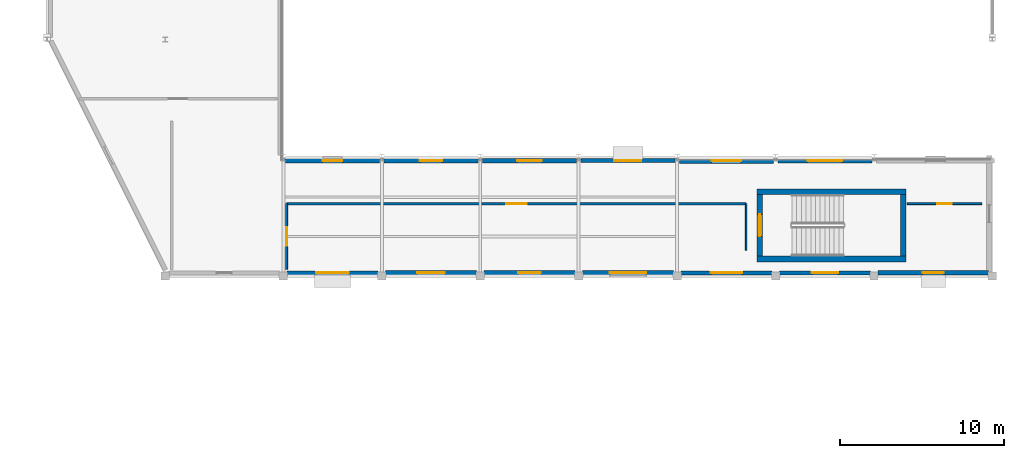
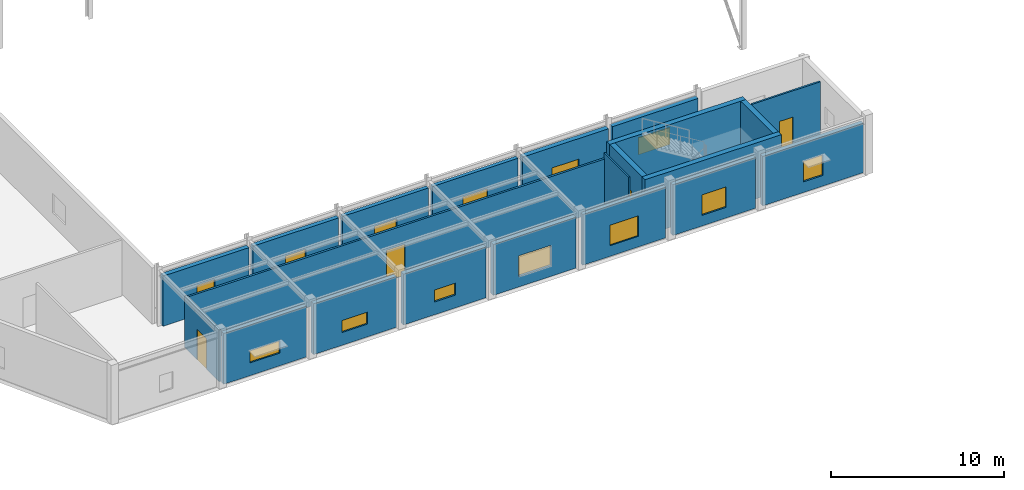
# One storey, part 42 of 60: 21 walls, 13 windows, 4 doors, 17 openings.
"""IFC4 building model written with IfcOpenShell, lengths in metres."""

from ifc_helpers import new_model, si_unit, direction, frame, frame_2d, origin, place, context, subcontext, project, spatial, rectangle, extrude, material, layer, layer_set, type_object, element, fill, save


model = new_model("IFC4")

# Units and contexts
model_context = context("Model", 3, precision=1e-05, world=origin(), true_north=direction((0.0, 1.0)))
body_context = subcontext(model_context, "Body", "Model", "MODEL_VIEW")
ifc_project = project(units=[si_unit("LENGTHUNIT", "METRE"), si_unit("AREAUNIT", "SQUARE_METRE"), si_unit("VOLUMEUNIT", "CUBIC_METRE"), si_unit("PLANEANGLEUNIT", "RADIAN"), si_unit("MASSUNIT", "GRAM", prefix="KILO")], contexts=[model_context])

# Site, building, storey
site_placement = place(None, origin())
site = spatial("IfcSite", under=ifc_project, at=site_placement, CompositionType="ELEMENT")
building_placement = place(site_placement, origin())
building = spatial("IfcBuilding", under=site, at=building_placement, Name="Brisavento Harbour Community Centre", CompositionType="ELEMENT")
storey_placement = place(building_placement, frame((0.0, 0.0, 4.5)))
storey = spatial("IfcBuildingStorey", under=building, at=storey_placement, Name="L01", CompositionType="ELEMENT", Elevation=4.5)

# Walls
ifc_material_1 = material(Name="Concrete C40/50", Category="concrete")
ifc_layer_1 = layer(ifc_material_1, 0.35009765625, Name="Concrete C40/50")
ifc_layer_set_1 = layer_set([ifc_layer_1], Name="Concrete C40/50")
wall_type_1 = type_object("IfcWallType", Name="WL-CORE-350", PredefinedType="SHEAR", material=ifc_layer_set_1)
for number, where, z_axis, x_axis, name in (
    (1, (158.449951171875, 80.22509765625, 0.0), (0.0, 0.0, 1.0), (1.0, 0.0, 0.0), "L01 core C4 shear wall L"),
    (2, (167.550048828125, 84.324951171875, 0.0), (0.0, 0.0, 1.0), (-1.0, 0.0, 0.0), "L01 core C4 shear wall R"),
):
    element("IfcWall", number, at=place(storey_placement, frame(where, z_axis=z_axis, x_axis=x_axis)), inside=storey, type_object=wall_type_1, Name=name, PredefinedType="SHEAR", context=body_context, shape_type="SweptSolid", body=[
        extrude(rectangle(XDim=9.10009765625, YDim=0.35009765625, at=frame_2d((4.550048828125, 0.0))), origin(), (0.0, 0.0, 1.0), 3.949951171875),
    ])
wall_1_placement = place(storey_placement, frame((167.375, 80.39990234375, 0.0), z_axis=(0.0, 0.0, 1.0), x_axis=(0.0, 1.0, 0.0)))
element("IfcWall", 3, at=wall_1_placement, inside=storey, type_object=wall_type_1, Name="L01 core C4 shear wall F", PredefinedType="SHEAR", context=body_context, shape_type="SweptSolid", body=[
    extrude(rectangle(XDim=3.75, YDim=0.35009765625, at=frame_2d((1.875, 0.0))), origin(), (0.0, 0.0, 1.0), 3.949951171875),
])

# Wall, opening, door
wall_2_placement = place(storey_placement, frame((158.625, 84.14990234375, 0.0), z_axis=(0.0, 0.0, 1.0), x_axis=(0.0, -1.0, 0.0)))
wall_2 = element("IfcWall", 4, at=wall_2_placement, inside=storey, type_object=wall_type_1, Name="L01 core C4 shear wall N", PredefinedType="SHEAR", context=body_context, shape_type="SweptSolid", body=[
    extrude(rectangle(XDim=3.75, YDim=0.35009765625, at=frame_2d((1.875, 0.0))), origin(), (0.0, 0.0, 1.0), 3.949951171875),
])
opening_1_placement = place(wall_2_placement, frame((1.199951171875, 0.0, 0.0)))
opening_1 = element("IfcOpeningElement", 5, at=opening_1_placement, cuts=wall_2, Name="Opening SD-02", PredefinedType="OPENING", context=body_context, shape_type="SweptSolid", body=[
    extrude(rectangle(XDim=1.35009765625, YDim=2.199951171875, at=frame_2d((0.675048828125, 1.10009765625))), frame((0.0, 0.18505859375, 0.0), z_axis=(0.0, -1.0, 0.0), x_axis=(1.0, 0.0, 0.0)), (0.0, 0.0, 1.0), 0.3701171875),
])
ifc_material_2 = material(Name="Fire-rated steel door assembly", Category="steel")
door_type_1 = type_object("IfcDoorType", Name="DR-STAIR-135x220", OperationType="NOTDEFINED", PredefinedType="DOOR", material=ifc_material_2)
door_1_placement = place(opening_1_placement, origin())
door_1 = element("IfcDoor", 6, at=door_1_placement, inside=storey, type_object=door_type_1, Name="L01 exit stair ST-06 fire door", OperationType="SINGLE_SWING_LEFT", OverallHeight=2.199951171875, OverallWidth=1.35009765625, PredefinedType="DOOR", context=body_context, shape_type="SweptSolid", body=[
    extrude(rectangle(XDim=1.35009765625, YDim=2.199951171875, at=frame_2d((0.675048828125, 1.10009765625))), frame((0.0, 0.02490234375, 0.0), z_axis=(0.0, -1.0, 0.0), x_axis=(1.0, 0.0, 0.0)), (0.0, 0.0, 1.0), 0.050048828125),
])
fill(opening_1, door_1)

# Wall, opening, window
ifc_material_3 = material(Name="Terracotta masonry unit", Category="masonry")
ifc_layer_2 = layer(ifc_material_3, 0.239990234375, Name="Terracotta masonry unit")
ifc_layer_set_2 = layer_set([ifc_layer_2], Name="Terracotta masonry unit")
wall_type_2 = type_object("IfcWallType", Name="WL-EXT-240", PredefinedType="SOLIDWALL", material=ifc_layer_set_2)
wall_3_placement = place(storey_placement, frame((159.364990234375, 79.3798828125, 0.0), z_axis=(0.0, 0.0, 1.0), x_axis=(-1.0, 0.0, 0.0)))
wall_3 = element("IfcWall", 7, at=wall_3_placement, inside=storey, type_object=wall_type_2, Name="L01 V4 exterior wall 0188", PredefinedType="SOLIDWALL", context=body_context, shape_type="SweptSolid", body=[
    extrude(rectangle(XDim=5.530029296875, YDim=0.239990234375, at=frame_2d((2.76513671875, 0.0))), origin(), (0.0, 0.0, 1.0), 3.590087890625),
])
opening_2_placement = place(wall_3_placement, frame((1.81494140625, 0.0, 0.75)))
opening_2 = element("IfcOpeningElement", 8, at=opening_2_placement, cuts=wall_3, Name="Opening W-32", PredefinedType="OPENING", context=body_context, shape_type="SweptSolid", body=[
    extrude(rectangle(XDim=1.89990234375, YDim=1.449951171875, at=frame_2d((0.949951171875, 0.72509765625))), frame((0.0, 0.1298828125, 0.0), z_axis=(0.0, -1.0, 0.0), x_axis=(1.0, 0.0, 0.0)), (0.0, 0.0, 1.0), 0.260009765625),
])
ifc_material_4 = material(Name="Solar-control laminated low-E glass", Category="glass")
window_type_1 = type_object("IfcWindowType", Name="WIN-CAS-32", PartitioningType="SINGLE_PANEL", PredefinedType="WINDOW", material=ifc_material_4)
window_1_placement = place(opening_2_placement, origin())
window_1 = element("IfcWindow", 9, at=window_1_placement, inside=storey, type_object=window_type_1, Name="L01 V4 impact casement window 0068", OverallHeight=1.449951171875, OverallWidth=1.89990234375, PartitioningType="SINGLE_PANEL", PredefinedType="WINDOW", context=body_context, shape_type="SweptSolid", body=[
    extrude(rectangle(XDim=1.89990234375, YDim=1.449951171875, at=frame_2d((0.949951171875, 0.72509765625))), frame((0.0, 0.030029296875, 0.0), z_axis=(0.0, -1.0, 0.0), x_axis=(1.0, 0.0, 0.0)), (0.0, 0.0, 1.0), 0.06005859375),
])
fill(opening_2, window_1)

wall_4_placement = place(storey_placement, frame((147.735107421875, 86.219970703125, 0.0), z_axis=(0.0, 0.0, 1.0), x_axis=(1.0, 0.0, 0.0)))
wall_4 = element("IfcWall", 10, at=wall_4_placement, inside=storey, type_object=wall_type_2, Name="L01 V4 exterior wall 0198", PredefinedType="SOLIDWALL", context=body_context, shape_type="SweptSolid", body=[
    extrude(rectangle(XDim=5.72998046875, YDim=0.239990234375, at=frame_2d((2.864990234375, 0.0))), origin(), (0.0, 0.0, 1.0), 3.550048828125),
])
opening_3_placement = place(wall_4_placement, frame((2.0400390625, 0.0, 0.89990234375)))
opening_3 = element("IfcOpeningElement", 11, at=opening_3_placement, cuts=wall_4, Name="Opening W-06", PredefinedType="OPENING", context=body_context, shape_type="SweptSolid", body=[
    extrude(rectangle(XDim=1.64990234375, YDim=1.199951171875, at=frame_2d((0.824951171875, 0.60009765625))), frame((0.0, 0.1298828125, 0.0), z_axis=(0.0, -1.0, 0.0), x_axis=(1.0, 0.0, 0.0)), (0.0, 0.0, 1.0), 0.260009765625),
])
window_type_2 = type_object("IfcWindowType", Name="WIN-CAS-06", PartitioningType="SINGLE_PANEL", PredefinedType="WINDOW", material=ifc_material_4)
window_2_placement = place(opening_3_placement, origin())
window_2 = element("IfcWindow", 12, at=window_2_placement, inside=storey, type_object=window_type_2, Name="L01 V4 impact casement window 0078", OverallHeight=1.199951171875, OverallWidth=1.64990234375, PartitioningType="SINGLE_PANEL", PredefinedType="WINDOW", context=body_context, shape_type="SweptSolid", body=[
    extrude(rectangle(XDim=1.64990234375, YDim=1.199951171875, at=frame_2d((0.824951171875, 0.60009765625))), frame((0.0, 0.030029296875, 0.0), z_axis=(0.0, -1.0, 0.0), x_axis=(1.0, 0.0, 0.0)), (0.0, 0.0, 1.0), 0.06005859375),
])
fill(opening_3, window_2)

ifc_layer_3 = layer(ifc_material_3, 0.260009765625, Name="Terracotta masonry unit")
ifc_layer_set_3 = layer_set([ifc_layer_3], Name="Terracotta masonry unit")
wall_type_3 = type_object("IfcWallType", Name="WL-EXT-260", PredefinedType="SOLIDWALL", material=ifc_layer_set_3)
wall_5_placement = place(storey_placement, frame((165.364990234375, 79.3798828125, 0.0), z_axis=(0.0, 0.0, 1.0), x_axis=(-1.0, 0.0, 0.0)))
wall_5 = element("IfcWall", 13, at=wall_5_placement, inside=storey, type_object=wall_type_3, Name="L01 V4 exterior wall 0187", PredefinedType="SOLIDWALL", context=body_context, shape_type="SweptSolid", body=[
    extrude(rectangle(XDim=5.530029296875, YDim=0.260009765625, at=frame_2d((2.76513671875, 0.0))), origin(), (0.0, 0.0, 1.0), 3.590087890625),
])
opening_4_placement = place(wall_5_placement, frame((1.965087890625, 0.0, 0.75)))
opening_4 = element("IfcOpeningElement", 14, at=opening_4_placement, cuts=wall_5, Name="Opening W-31", PredefinedType="OPENING", context=body_context, shape_type="SweptSolid", body=[
    extrude(rectangle(XDim=1.60009765625, YDim=1.449951171875, at=frame_2d((0.800048828125, 0.72509765625))), frame((0.0, 0.14013671875, 0.0), z_axis=(0.0, -1.0, 0.0), x_axis=(1.0, 0.0, 0.0)), (0.0, 0.0, 1.0), 0.280029296875),
])
window_type_3 = type_object("IfcWindowType", Name="WIN-CAS-31", PartitioningType="SINGLE_PANEL", PredefinedType="WINDOW", material=ifc_material_4)
window_3_placement = place(opening_4_placement, origin())
window_3 = element("IfcWindow", 15, at=window_3_placement, inside=storey, type_object=window_type_3, Name="L01 V4 impact casement window 0067", OverallHeight=1.449951171875, OverallWidth=1.60009765625, PartitioningType="SINGLE_PANEL", PredefinedType="WINDOW", context=body_context, shape_type="SweptSolid", body=[
    extrude(rectangle(XDim=1.60009765625, YDim=1.449951171875, at=frame_2d((0.800048828125, 0.72509765625))), frame((0.0, 0.030029296875, 0.0), z_axis=(0.0, -1.0, 0.0), x_axis=(1.0, 0.0, 0.0)), (0.0, 0.0, 1.0), 0.06005859375),
])
fill(opening_4, window_3)

wall_6_placement = place(storey_placement, frame((135.364990234375, 79.3798828125, 0.0), z_axis=(0.0, 0.0, 1.0), x_axis=(-1.0, 0.0, 0.0)))
wall_6 = element("IfcWall", 16, at=wall_6_placement, inside=storey, type_object=wall_type_3, Name="L01 V4 exterior wall 0192", PredefinedType="SOLIDWALL", context=body_context, shape_type="SweptSolid", body=[
    extrude(rectangle(XDim=5.530029296875, YDim=0.260009765625, at=frame_2d((2.76513671875, 0.0))), origin(), (0.0, 0.0, 1.0), 3.590087890625),
])
opening_5_placement = place(wall_6_placement, frame((1.764892578125, 0.0, 0.89990234375)))
opening_5 = element("IfcOpeningElement", 17, at=opening_5_placement, cuts=wall_6, Name="Opening W-36", PredefinedType="OPENING", context=body_context, shape_type="SweptSolid", body=[
    extrude(rectangle(XDim=2.0, YDim=0.85009765625, at=frame_2d((1.0, 0.425048828125))), frame((0.0, 0.14013671875, 0.0), z_axis=(0.0, -1.0, 0.0), x_axis=(1.0, 0.0, 0.0)), (0.0, 0.0, 1.0), 0.280029296875),
])
window_type_4 = type_object("IfcWindowType", Name="WIN-CAS-36", PartitioningType="SINGLE_PANEL", PredefinedType="WINDOW", material=ifc_material_4)
window_4_placement = place(opening_5_placement, origin())
window_4 = element("IfcWindow", 18, at=window_4_placement, inside=storey, type_object=window_type_4, Name="L01 V4 impact casement window 0072", OverallHeight=0.85009765625, OverallWidth=2.0, PartitioningType="SINGLE_PANEL", PredefinedType="WINDOW", context=body_context, shape_type="SweptSolid", body=[
    extrude(rectangle(XDim=2.0, YDim=0.85009765625, at=frame_2d((1.0, 0.425048828125))), frame((0.0, 0.030029296875, 0.0), z_axis=(0.0, -1.0, 0.0), x_axis=(1.0, 0.0, 0.0)), (0.0, 0.0, 1.0), 0.06005859375),
])
fill(opening_5, window_4)

wall_7_placement = place(storey_placement, frame((141.735107421875, 86.219970703125, 0.0), z_axis=(0.0, 0.0, 1.0), x_axis=(1.0, 0.0, 0.0)))
wall_7 = element("IfcWall", 19, at=wall_7_placement, inside=storey, type_object=wall_type_3, Name="L01 V4 exterior wall 0197", PredefinedType="SOLIDWALL", context=body_context, shape_type="SweptSolid", body=[
    extrude(rectangle(XDim=5.72998046875, YDim=0.260009765625, at=frame_2d((2.864990234375, 0.0))), origin(), (0.0, 0.0, 1.0), 3.550048828125),
])
opening_6_placement = place(wall_7_placement, frame((2.114990234375, 0.0, 0.89990234375)))
opening_6 = element("IfcOpeningElement", 20, at=opening_6_placement, cuts=wall_7, Name="Opening W-05", PredefinedType="OPENING", context=body_context, shape_type="SweptSolid", body=[
    extrude(rectangle(XDim=1.5, YDim=1.199951171875, at=frame_2d((0.75, 0.60009765625))), frame((0.0, 0.14013671875, 0.0), z_axis=(0.0, -1.0, 0.0), x_axis=(1.0, 0.0, 0.0)), (0.0, 0.0, 1.0), 0.280029296875),
])
window_type_5 = type_object("IfcWindowType", Name="WIN-CAS-05", PartitioningType="SINGLE_PANEL", PredefinedType="WINDOW", material=ifc_material_4)
window_5_placement = place(opening_6_placement, origin())
window_5 = element("IfcWindow", 21, at=window_5_placement, inside=storey, type_object=window_type_5, Name="L01 V4 impact casement window 0077", OverallHeight=1.199951171875, OverallWidth=1.5, PartitioningType="SINGLE_PANEL", PredefinedType="WINDOW", context=body_context, shape_type="SweptSolid", body=[
    extrude(rectangle(XDim=1.5, YDim=1.199951171875, at=frame_2d((0.75, 0.60009765625))), frame((0.0, 0.030029296875, 0.0), z_axis=(0.0, -1.0, 0.0), x_axis=(1.0, 0.0, 0.0)), (0.0, 0.0, 1.0), 0.06005859375),
])
fill(opening_6, window_5)

ifc_material_5 = material(Name="Precast concrete C40/50", Category="concrete")
ifc_layer_4 = layer(ifc_material_5, 0.280029296875, Name="Precast concrete C40/50")
ifc_layer_set_4 = layer_set([ifc_layer_4], Name="Precast concrete C40/50")
wall_type_4 = type_object("IfcWallType", Name="WL-EXT-280", PredefinedType="SOLIDWALL", material=ifc_layer_set_4)
wall_8_placement = place(storey_placement, frame((172.56494140625, 79.3798828125, 0.0), z_axis=(0.0, 0.0, 1.0), x_axis=(-1.0, 0.0, 0.0)))
wall_8 = element("IfcWall", 22, at=wall_8_placement, inside=storey, type_object=wall_type_4, Name="L01 V4 exterior wall 0186", PredefinedType="SOLIDWALL", context=body_context, shape_type="SweptSolid", body=[
    extrude(rectangle(XDim=6.72998046875, YDim=0.280029296875, at=frame_2d((3.364990234375, 0.0))), origin(), (0.0, 0.0, 1.0), 3.5),
])
opening_7_placement = place(wall_8_placement, frame((2.715087890625, 0.0, 0.75)))
opening_7 = element("IfcOpeningElement", 23, at=opening_7_placement, cuts=wall_8, Name="Opening W-30", PredefinedType="OPENING", context=body_context, shape_type="SweptSolid", body=[
    extrude(rectangle(XDim=1.300048828125, YDim=1.449951171875, at=frame_2d((0.64990234375, 0.72509765625))), frame((0.0, 0.14990234375, 0.0), z_axis=(0.0, -1.0, 0.0), x_axis=(1.0, 0.0, 0.0)), (0.0, 0.0, 1.0), 0.300048828125),
])
window_type_6 = type_object("IfcWindowType", Name="WIN-CAS-30", PartitioningType="SINGLE_PANEL", PredefinedType="WINDOW", material=ifc_material_4)
window_6_placement = place(opening_7_placement, origin())
window_6 = element("IfcWindow", 24, at=window_6_placement, inside=storey, type_object=window_type_6, Name="L01 V4 impact casement window 0066", OverallHeight=1.449951171875, OverallWidth=1.300048828125, PartitioningType="SINGLE_PANEL", PredefinedType="WINDOW", context=body_context, shape_type="SweptSolid", body=[
    extrude(rectangle(XDim=1.300048828125, YDim=1.449951171875, at=frame_2d((0.64990234375, 0.72509765625))), frame((0.0, 0.030029296875, 0.0), z_axis=(0.0, -1.0, 0.0), x_axis=(1.0, 0.0, 0.0)), (0.0, 0.0, 1.0), 0.06005859375),
])
fill(opening_7, window_6)

wall_9_placement = place(storey_placement, frame((141.364990234375, 79.3798828125, 0.0), z_axis=(0.0, 0.0, 1.0), x_axis=(-1.0, 0.0, 0.0)))
wall_9 = element("IfcWall", 25, at=wall_9_placement, inside=storey, type_object=wall_type_4, Name="L01 V4 exterior wall 0191", PredefinedType="SOLIDWALL", context=body_context, shape_type="SweptSolid", body=[
    extrude(rectangle(XDim=5.530029296875, YDim=0.280029296875, at=frame_2d((2.76513671875, 0.0))), origin(), (0.0, 0.0, 1.0), 3.590087890625),
])
opening_8_placement = place(wall_9_placement, frame((1.9150390625, 0.0, 0.89990234375)))
opening_8 = element("IfcOpeningElement", 26, at=opening_8_placement, cuts=wall_9, Name="Opening W-35", PredefinedType="OPENING", context=body_context, shape_type="SweptSolid", body=[
    extrude(rectangle(XDim=1.699951171875, YDim=0.85009765625, at=frame_2d((0.85009765625, 0.425048828125))), frame((0.0, 0.14990234375, 0.0), z_axis=(0.0, -1.0, 0.0), x_axis=(1.0, 0.0, 0.0)), (0.0, 0.0, 1.0), 0.300048828125),
])
window_type_7 = type_object("IfcWindowType", Name="WIN-CAS-35", PartitioningType="SINGLE_PANEL", PredefinedType="WINDOW", material=ifc_material_4)
window_7_placement = place(opening_8_placement, origin())
window_7 = element("IfcWindow", 27, at=window_7_placement, inside=storey, type_object=window_type_7, Name="L01 V4 impact casement window 0071", OverallHeight=0.85009765625, OverallWidth=1.699951171875, PartitioningType="SINGLE_PANEL", PredefinedType="WINDOW", context=body_context, shape_type="SweptSolid", body=[
    extrude(rectangle(XDim=1.699951171875, YDim=0.85009765625, at=frame_2d((0.85009765625, 0.425048828125))), frame((0.0, 0.030029296875, 0.0), z_axis=(0.0, -1.0, 0.0), x_axis=(1.0, 0.0, 0.0)), (0.0, 0.0, 1.0), 0.06005859375),
])
fill(opening_8, window_7)

wall_10_placement = place(storey_placement, frame((135.735107421875, 86.219970703125, 0.0), z_axis=(0.0, 0.0, 1.0), x_axis=(1.0, 0.0, 0.0)))
wall_10 = element("IfcWall", 28, at=wall_10_placement, inside=storey, type_object=wall_type_4, Name="L01 V4 exterior wall 0196", PredefinedType="SOLIDWALL", context=body_context, shape_type="SweptSolid", body=[
    extrude(rectangle(XDim=5.72998046875, YDim=0.280029296875, at=frame_2d((2.864990234375, 0.0))), origin(), (0.0, 0.0, 1.0), 3.550048828125),
])
opening_9_placement = place(wall_10_placement, frame((2.18994140625, 0.0, 0.89990234375)))
opening_9 = element("IfcOpeningElement", 29, at=opening_9_placement, cuts=wall_10, Name="Opening W-04", PredefinedType="OPENING", context=body_context, shape_type="SweptSolid", body=[
    extrude(rectangle(XDim=1.35009765625, YDim=1.199951171875, at=frame_2d((0.675048828125, 0.60009765625))), frame((0.0, 0.14990234375, 0.0), z_axis=(0.0, -1.0, 0.0), x_axis=(1.0, 0.0, 0.0)), (0.0, 0.0, 1.0), 0.300048828125),
])
window_type_8 = type_object("IfcWindowType", Name="WIN-CAS-04", PartitioningType="SINGLE_PANEL", PredefinedType="WINDOW", material=ifc_material_4)
window_8_placement = place(opening_9_placement, origin())
window_8 = element("IfcWindow", 30, at=window_8_placement, inside=storey, type_object=window_type_8, Name="L01 V4 impact casement window 0076", OverallHeight=1.199951171875, OverallWidth=1.35009765625, PartitioningType="SINGLE_PANEL", PredefinedType="WINDOW", context=body_context, shape_type="SweptSolid", body=[
    extrude(rectangle(XDim=1.35009765625, YDim=1.199951171875, at=frame_2d((0.675048828125, 0.60009765625))), frame((0.0, 0.030029296875, 0.0), z_axis=(0.0, -1.0, 0.0), x_axis=(1.0, 0.0, 0.0)), (0.0, 0.0, 1.0), 0.06005859375),
])
fill(opening_9, window_8)

ifc_material_6 = material(Name="Concrete C35/45", Category="concrete")
ifc_layer_5 = layer(ifc_material_6, 0.300048828125, Name="Concrete C35/45")
ifc_layer_set_5 = layer_set([ifc_layer_5], Name="Concrete C35/45")
wall_type_5 = type_object("IfcWallType", Name="WL-EXT-300", PredefinedType="SOLIDWALL", material=ifc_layer_set_5)
wall_11_placement = place(storey_placement, frame((147.364990234375, 79.3798828125, 0.0), z_axis=(0.0, 0.0, 1.0), x_axis=(-1.0, 0.0, 0.0)))
wall_11 = element("IfcWall", 31, at=wall_11_placement, inside=storey, type_object=wall_type_5, Name="L01 V4 exterior wall 0190", PredefinedType="SOLIDWALL", context=body_context, shape_type="SweptSolid", body=[
    extrude(rectangle(XDim=5.530029296875, YDim=0.300048828125, at=frame_2d((2.76513671875, 0.0))), origin(), (0.0, 0.0, 1.0), 3.590087890625),
])
opening_10_placement = place(wall_11_placement, frame((2.06494140625, 0.0, 0.89990234375)))
opening_10 = element("IfcOpeningElement", 32, at=opening_10_placement, cuts=wall_11, Name="Opening W-34", PredefinedType="OPENING", context=body_context, shape_type="SweptSolid", body=[
    extrude(rectangle(XDim=1.39990234375, YDim=0.85009765625, at=frame_2d((0.699951171875, 0.425048828125))), frame((0.0, 0.16015625, 0.0), z_axis=(0.0, -1.0, 0.0), x_axis=(1.0, 0.0, 0.0)), (0.0, 0.0, 1.0), 0.320068359375),
])
window_type_9 = type_object("IfcWindowType", Name="WIN-CAS-34", PartitioningType="SINGLE_PANEL", PredefinedType="WINDOW", material=ifc_material_4)
window_9_placement = place(opening_10_placement, origin())
window_9 = element("IfcWindow", 33, at=window_9_placement, inside=storey, type_object=window_type_9, Name="L01 V4 impact casement window 0070", OverallHeight=0.85009765625, OverallWidth=1.39990234375, PartitioningType="SINGLE_PANEL", PredefinedType="WINDOW", context=body_context, shape_type="SweptSolid", body=[
    extrude(rectangle(XDim=1.39990234375, YDim=0.85009765625, at=frame_2d((0.699951171875, 0.425048828125))), frame((0.0, 0.030029296875, 0.0), z_axis=(0.0, -1.0, 0.0), x_axis=(1.0, 0.0, 0.0)), (0.0, 0.0, 1.0), 0.06005859375),
])
fill(opening_10, window_9)

wall_12_placement = place(storey_placement, frame((129.735107421875, 86.219970703125, 0.0), z_axis=(0.0, 0.0, 1.0), x_axis=(1.0, 0.0, 0.0)))
wall_12 = element("IfcWall", 34, at=wall_12_placement, inside=storey, type_object=wall_type_5, Name="L01 V4 exterior wall 0195", PredefinedType="SOLIDWALL", context=body_context, shape_type="SweptSolid", body=[
    extrude(rectangle(XDim=5.72998046875, YDim=0.300048828125, at=frame_2d((2.864990234375, 0.0))), origin(), (0.0, 0.0, 1.0), 3.550048828125),
])
opening_11_placement = place(wall_12_placement, frame((2.264892578125, 0.0, 0.89990234375)))
opening_11 = element("IfcOpeningElement", 35, at=opening_11_placement, cuts=wall_12, Name="Opening W-03", PredefinedType="OPENING", context=body_context, shape_type="SweptSolid", body=[
    extrude(rectangle(XDim=1.199951171875, YDim=1.199951171875, at=frame_2d((0.60009765625, 0.60009765625))), frame((0.0, 0.16015625, 0.0), z_axis=(0.0, -1.0, 0.0), x_axis=(1.0, 0.0, 0.0)), (0.0, 0.0, 1.0), 0.320068359375),
])
window_type_10 = type_object("IfcWindowType", Name="WIN-CAS-03", PartitioningType="SINGLE_PANEL", PredefinedType="WINDOW", material=ifc_material_4)
window_10_placement = place(opening_11_placement, origin())
window_10 = element("IfcWindow", 36, at=window_10_placement, inside=storey, type_object=window_type_10, Name="L01 V4 impact casement window 0075", OverallHeight=1.199951171875, OverallWidth=1.199951171875, PartitioningType="SINGLE_PANEL", PredefinedType="WINDOW", context=body_context, shape_type="SweptSolid", body=[
    extrude(rectangle(XDim=1.199951171875, YDim=1.199951171875, at=frame_2d((0.60009765625, 0.60009765625))), frame((0.0, 0.030029296875, 0.0), z_axis=(0.0, -1.0, 0.0), x_axis=(1.0, 0.0, 0.0)), (0.0, 0.0, 1.0), 0.06005859375),
])
fill(opening_11, window_10)

wall_13_placement = place(storey_placement, frame((159.735107421875, 86.219970703125, 0.0), z_axis=(0.0, 0.0, 1.0), x_axis=(1.0, 0.0, 0.0)))
wall_13 = element("IfcWall", 37, at=wall_13_placement, inside=storey, type_object=wall_type_5, Name="L01 V4 exterior wall 0200", PredefinedType="SOLIDWALL", context=body_context, shape_type="SweptSolid", body=[
    extrude(rectangle(XDim=5.72998046875, YDim=0.300048828125, at=frame_2d((2.864990234375, 0.0))), origin(), (0.0, 0.0, 1.0), 3.590087890625),
])
opening_12_placement = place(wall_13_placement, frame((1.81494140625, 0.0, 0.89990234375)))
opening_12 = element("IfcOpeningElement", 38, at=opening_12_placement, cuts=wall_13, Name="Opening W-08", PredefinedType="OPENING", context=body_context, shape_type="SweptSolid", body=[
    extrude(rectangle(XDim=2.10009765625, YDim=1.199951171875, at=frame_2d((1.050048828125, 0.60009765625))), frame((0.0, 0.16015625, 0.0), z_axis=(0.0, -1.0, 0.0), x_axis=(1.0, 0.0, 0.0)), (0.0, 0.0, 1.0), 0.320068359375),
])
window_type_11 = type_object("IfcWindowType", Name="WIN-CAS-08", PartitioningType="SINGLE_PANEL", PredefinedType="WINDOW", material=ifc_material_4)
window_11_placement = place(opening_12_placement, origin())
window_11 = element("IfcWindow", 39, at=window_11_placement, inside=storey, type_object=window_type_11, Name="L01 V4 impact casement window 0080", OverallHeight=1.199951171875, OverallWidth=2.10009765625, PartitioningType="SINGLE_PANEL", PredefinedType="WINDOW", context=body_context, shape_type="SweptSolid", body=[
    extrude(rectangle(XDim=2.10009765625, YDim=1.199951171875, at=frame_2d((1.050048828125, 0.60009765625))), frame((0.0, 0.030029296875, 0.0), z_axis=(0.0, -1.0, 0.0), x_axis=(1.0, 0.0, 0.0)), (0.0, 0.0, 1.0), 0.06005859375),
])
fill(opening_12, window_11)

ifc_layer_6 = layer(ifc_material_6, 0.320068359375, Name="Concrete C35/45")
ifc_layer_set_6 = layer_set([ifc_layer_6], Name="Concrete C35/45")
wall_type_6 = type_object("IfcWallType", Name="WL-EXT-320", PredefinedType="SOLIDWALL", material=ifc_layer_set_6)
wall_14_placement = place(storey_placement, frame((153.364990234375, 79.3798828125, 0.0), z_axis=(0.0, 0.0, 1.0), x_axis=(-1.0, 0.0, 0.0)))
wall_14 = element("IfcWall", 40, at=wall_14_placement, inside=storey, type_object=wall_type_6, Name="L01 V4 exterior wall 0189", PredefinedType="SOLIDWALL", context=body_context, shape_type="SweptSolid", body=[
    extrude(rectangle(XDim=5.530029296875, YDim=0.320068359375, at=frame_2d((2.76513671875, 0.0))), origin(), (0.0, 0.0, 1.0), 3.590087890625),
])
opening_13_placement = place(wall_14_placement, frame((1.6650390625, 0.0, 0.75)))
opening_13 = element("IfcOpeningElement", 41, at=opening_13_placement, cuts=wall_14, Name="Opening W-33", PredefinedType="OPENING", context=body_context, shape_type="SweptSolid", body=[
    extrude(rectangle(XDim=2.199951171875, YDim=1.449951171875, at=frame_2d((1.10009765625, 0.72509765625))), frame((0.0, 0.169921875, 0.0), z_axis=(0.0, -1.0, 0.0), x_axis=(1.0, 0.0, 0.0)), (0.0, 0.0, 1.0), 0.340087890625),
])
window_type_12 = type_object("IfcWindowType", Name="WIN-CAS-33", PartitioningType="SINGLE_PANEL", PredefinedType="WINDOW", material=ifc_material_4)
window_12_placement = place(opening_13_placement, origin())
window_12 = element("IfcWindow", 42, at=window_12_placement, inside=storey, type_object=window_type_12, Name="L01 V4 impact casement window 0069", OverallHeight=1.449951171875, OverallWidth=2.199951171875, PartitioningType="SINGLE_PANEL", PredefinedType="WINDOW", context=body_context, shape_type="SweptSolid", body=[
    extrude(rectangle(XDim=2.199951171875, YDim=1.449951171875, at=frame_2d((1.10009765625, 0.72509765625))), frame((0.0, 0.030029296875, 0.0), z_axis=(0.0, -1.0, 0.0), x_axis=(1.0, 0.0, 0.0)), (0.0, 0.0, 1.0), 0.06005859375),
])
fill(opening_13, window_12)

wall_15_placement = place(storey_placement, frame((153.735107421875, 86.219970703125, 0.0), z_axis=(0.0, 0.0, 1.0), x_axis=(1.0, 0.0, 0.0)))
wall_15 = element("IfcWall", 43, at=wall_15_placement, inside=storey, type_object=wall_type_6, Name="L01 V4 exterior wall 0199", PredefinedType="SOLIDWALL", context=body_context, shape_type="SweptSolid", body=[
    extrude(rectangle(XDim=5.72998046875, YDim=0.320068359375, at=frame_2d((2.864990234375, 0.0))), origin(), (0.0, 0.0, 1.0), 3.550048828125),
])
opening_14_placement = place(wall_15_placement, frame((1.965087890625, 0.0, 0.89990234375)))
opening_14 = element("IfcOpeningElement", 44, at=opening_14_placement, cuts=wall_15, Name="Opening W-07", PredefinedType="OPENING", context=body_context, shape_type="SweptSolid", body=[
    extrude(rectangle(XDim=1.800048828125, YDim=1.199951171875, at=frame_2d((0.89990234375, 0.60009765625))), frame((0.0, 0.169921875, 0.0), z_axis=(0.0, -1.0, 0.0), x_axis=(1.0, 0.0, 0.0)), (0.0, 0.0, 1.0), 0.340087890625),
])
window_type_13 = type_object("IfcWindowType", Name="WIN-CAS-07", PartitioningType="SINGLE_PANEL", PredefinedType="WINDOW", material=ifc_material_4)
window_13_placement = place(opening_14_placement, origin())
window_13 = element("IfcWindow", 45, at=window_13_placement, inside=storey, type_object=window_type_13, Name="L01 V4 impact casement window 0079", OverallHeight=1.199951171875, OverallWidth=1.800048828125, PartitioningType="SINGLE_PANEL", PredefinedType="WINDOW", context=body_context, shape_type="SweptSolid", body=[
    extrude(rectangle(XDim=1.800048828125, YDim=1.199951171875, at=frame_2d((0.89990234375, 0.60009765625))), frame((0.0, 0.030029296875, 0.0), z_axis=(0.0, -1.0, 0.0), x_axis=(1.0, 0.0, 0.0)), (0.0, 0.0, 1.0), 0.06005859375),
])
fill(opening_14, window_13)

# Wall
ifc_material_7 = material(Name="Lightweight stud partition", Category="other")
ifc_layer_7 = layer(ifc_material_7, 0.10009765625, Name="Lightweight stud partition")
ifc_layer_set_7 = layer_set([ifc_layer_7], Name="Lightweight stud partition")
wall_type_7 = type_object("IfcWallType", Name="WL-PRT-100", PredefinedType="PARTITIONING", material=ifc_layer_set_7)
wall_16_placement = place(storey_placement, frame((157.800048828125, 80.75, 0.0), z_axis=(0.0, 0.0, 1.0), x_axis=(0.0, 1.0, 0.0)))
element("IfcWall", 46, at=wall_16_placement, inside=storey, type_object=wall_type_7, Name="L01 Sports Viewing Gallery partition 0179", PredefinedType="PARTITIONING", context=body_context, shape_type="SweptSolid", body=[
    extrude(rectangle(XDim=2.85009765625, YDim=0.10009765625, at=frame_2d((1.425048828125, 0.0))), origin(), (0.0, 0.0, 1.0), 3.949951171875),
])

# Wall, opening, door
ifc_material_8 = material(Name="Gypsum metal-stud partition", Category="other")
ifc_layer_8 = layer(ifc_material_8, 0.1201171875, Name="Gypsum metal-stud partition")
ifc_layer_set_8 = layer_set([ifc_layer_8], Name="Gypsum metal-stud partition")
wall_type_8 = type_object("IfcWallType", Name="WL-PRT-120", PredefinedType="PARTITIONING", material=ifc_layer_set_8)
wall_17_placement = place(storey_placement, frame((129.800048828125, 83.60009765625, 0.0), z_axis=(0.0, 0.0, 1.0), x_axis=(0.0, -1.0, 0.0)))
wall_17 = element("IfcWall", 47, at=wall_17_placement, inside=storey, type_object=wall_type_8, Name="L01 Sports Viewing Gallery partition 0178", PredefinedType="PARTITIONING", context=body_context, shape_type="SweptSolid", body=[
    extrude(rectangle(XDim=4.0, YDim=0.1201171875, at=frame_2d((2.0, 0.0))), origin(), (0.0, 0.0, 1.0), 3.64990234375),
])
opening_15_placement = place(wall_17_placement, frame((1.449951171875, 0.0, 0.0)))
opening_15 = element("IfcOpeningElement", 48, at=opening_15_placement, cuts=wall_17, Name="Opening ID-08", PredefinedType="OPENING", context=body_context, shape_type="SweptSolid", body=[
    extrude(rectangle(XDim=1.10009765625, YDim=2.14990234375, at=frame_2d((0.550048828125, 1.074951171875))), frame((0.0, 0.070068359375, 0.0), z_axis=(0.0, -1.0, 0.0), x_axis=(1.0, 0.0, 0.0)), (0.0, 0.0, 1.0), 0.14013671875),
])
ifc_material_9 = material(Name="Solid-core tropical timber door", Category="wood")
door_type_2 = type_object("IfcDoorType", Name="DR-INT-110x215", OperationType="NOTDEFINED", PredefinedType="DOOR", material=ifc_material_9)
door_2_placement = place(opening_15_placement, origin())
door_2 = element("IfcDoor", 49, at=door_2_placement, inside=storey, type_object=door_type_2, Name="L01 Aerobics Warm-Up Studio door 0063", OperationType="SINGLE_SWING_RIGHT", OverallHeight=2.14990234375, OverallWidth=1.10009765625, PredefinedType="DOOR", context=body_context, shape_type="SweptSolid", body=[
    extrude(rectangle(XDim=1.10009765625, YDim=2.14990234375, at=frame_2d((0.550048828125, 1.074951171875))), frame((0.0, 0.02490234375, 0.0), z_axis=(0.0, -1.0, 0.0), x_axis=(1.0, 0.0, 0.0)), (0.0, 0.0, 1.0), 0.050048828125),
])
fill(opening_15, door_2)

wall_18_placement = place(storey_placement, frame((172.169921875, 83.60009765625, 0.0), z_axis=(0.0, 0.0, 1.0), x_axis=(-1.0, 0.0, 0.0)))
wall_18 = element("IfcWall", 50, at=wall_18_placement, inside=storey, type_object=wall_type_8, Name="L01 Sports Accessible WC L01 partition 0194", PredefinedType="PARTITIONING", context=body_context, shape_type="SweptSolid", body=[
    extrude(rectangle(XDim=4.559814453125, YDim=0.1201171875, at=frame_2d((2.27978515625, 0.0))), origin(), (0.0, 0.0, 1.0), 3.949951171875),
])
opening_16_placement = place(wall_18_placement, frame((1.840087890625, 0.0, 0.0)))
opening_16 = element("IfcOpeningElement", 51, at=opening_16_placement, cuts=wall_18, Name="Opening WD-02", PredefinedType="OPENING", context=body_context, shape_type="SweptSolid", body=[
    extrude(rectangle(XDim=0.8798828125, YDim=2.10009765625, at=frame_2d((0.43994140625, 1.050048828125))), frame((0.0, 0.070068359375, 0.0), z_axis=(0.0, -1.0, 0.0), x_axis=(1.0, 0.0, 0.0)), (0.0, 0.0, 1.0), 0.14013671875),
])
ifc_material_10 = material(Name="Moisture-resistant laminate door", Category="other")
door_type_3 = type_object("IfcDoorType", Name="DR-WC-088x210", OperationType="NOTDEFINED", PredefinedType="DOOR", material=ifc_material_10)
door_3_placement = place(opening_16_placement, origin())
door_3 = element("IfcDoor", 52, at=door_3_placement, inside=storey, type_object=door_type_3, Name="L01 Sports Accessible WC L01 door 0070", OperationType="SINGLE_SWING_LEFT", OverallHeight=2.10009765625, OverallWidth=0.8798828125, PredefinedType="DOOR", context=body_context, shape_type="SweptSolid", body=[
    extrude(rectangle(XDim=0.8798828125, YDim=2.10009765625, at=frame_2d((0.43994140625, 1.050048828125))), frame((0.0, 0.02490234375, 0.0), z_axis=(0.0, -1.0, 0.0), x_axis=(1.0, 0.0, 0.0)), (0.0, 0.0, 1.0), 0.050048828125),
])
fill(opening_16, door_3)

ifc_layer_9 = layer(ifc_material_8, 0.139892578125, Name="Gypsum metal-stud partition")
ifc_layer_set_9 = layer_set([ifc_layer_9], Name="Gypsum metal-stud partition")
wall_type_9 = type_object("IfcWallType", Name="WL-PRT-140", PredefinedType="PARTITIONING", material=ifc_layer_set_9)
wall_19_placement = place(storey_placement, frame((157.800048828125, 83.60009765625, 0.0), z_axis=(0.0, 0.0, 1.0), x_axis=(-1.0, 0.0, 0.0)))
wall_19 = element("IfcWall", 53, at=wall_19_placement, inside=storey, type_object=wall_type_9, Name="L01 Sports Viewing Gallery partition 0177", PredefinedType="PARTITIONING", context=body_context, shape_type="SweptSolid", body=[
    extrude(rectangle(XDim=28.0, YDim=0.139892578125, at=frame_2d((14.0, 0.0))), origin(), (0.0, 0.0, 1.0), 3.550048828125),
])
opening_17_placement = place(wall_19_placement, frame((13.375, 0.0, 0.0)))
opening_17 = element("IfcOpeningElement", 54, at=opening_17_placement, cuts=wall_19, Name="Opening ID-06", PredefinedType="OPENING", context=body_context, shape_type="SweptSolid", body=[
    extrude(rectangle(XDim=1.25, YDim=2.199951171875, at=frame_2d((0.625, 1.10009765625))), frame((0.0, 0.080078125, 0.0), z_axis=(0.0, -1.0, 0.0), x_axis=(1.0, 0.0, 0.0)), (0.0, 0.0, 1.0), 0.159912109375),
])
door_type_4 = type_object("IfcDoorType", Name="DR-INT-125x220", OperationType="NOTDEFINED", PredefinedType="DOOR", material=ifc_material_9)
door_4_placement = place(opening_17_placement, origin())
door_4 = element("IfcDoor", 55, at=door_4_placement, inside=storey, type_object=door_type_4, Name="L01 Sports Viewing Gallery door 0061", OperationType="SINGLE_SWING_RIGHT", OverallHeight=2.199951171875, OverallWidth=1.25, PredefinedType="DOOR", context=body_context, shape_type="SweptSolid", body=[
    extrude(rectangle(XDim=1.25, YDim=2.199951171875, at=frame_2d((0.625, 1.10009765625))), frame((0.0, 0.02490234375, 0.0), z_axis=(0.0, -1.0, 0.0), x_axis=(1.0, 0.0, 0.0)), (0.0, 0.0, 1.0), 0.050048828125),
])
fill(opening_17, door_4)

save(model, "model.ifc")
